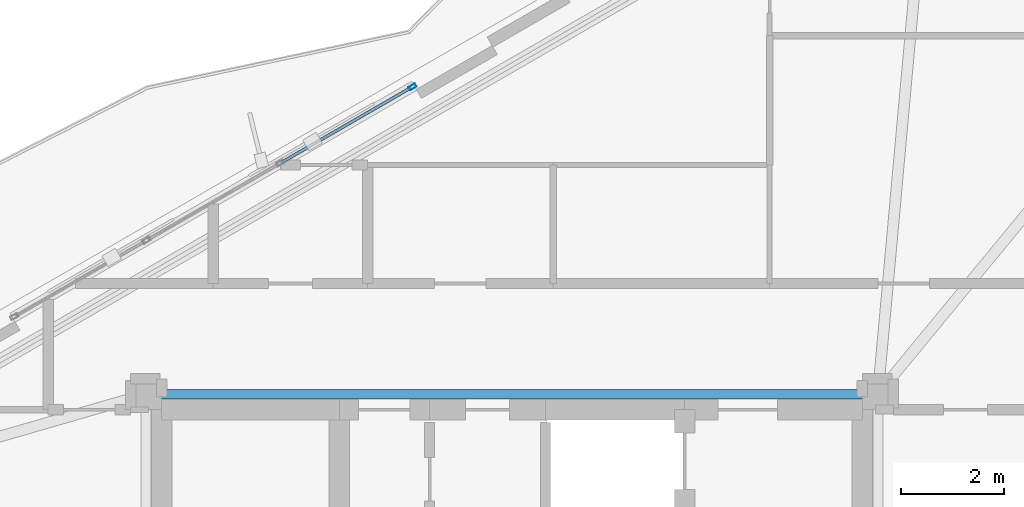
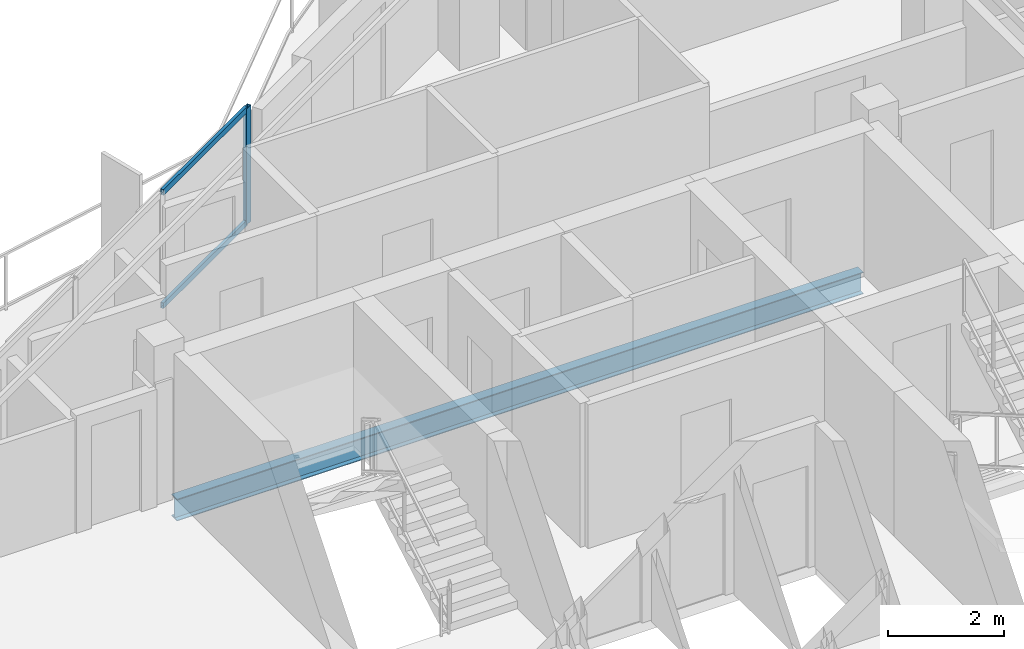
# One storey, part 14 of 21: 3 members, 1 beam, 1 element without a shape of its own.
"""IFC4 building model written with IfcOpenShell, lengths in metres."""

from ifc_helpers import new_model, si_unit, direction, frame, origin, origin_2d, place, context, subcontext, project, spatial, hollow_rectangle, i_section, extrude, material, layer, layer_set, material_profile, profile_set, type_object, element, aggregate, save


model = new_model("IFC4")

# Units and contexts
model_context = context("Model", 3, precision=1e-05, world=origin(), true_north=direction((0.0, 1.0)))
body_context = subcontext(model_context, "Body", "Model", "MODEL_VIEW")
ifc_project = project(units=[si_unit("LENGTHUNIT", "METRE"), si_unit("AREAUNIT", "SQUARE_METRE"), si_unit("VOLUMEUNIT", "CUBIC_METRE"), si_unit("PLANEANGLEUNIT", "RADIAN"), si_unit("MASSUNIT", "GRAM", prefix="KILO")], contexts=[model_context])

# Site, building, storey
site_placement = place(None, origin())
site = spatial("IfcSite", under=ifc_project, at=site_placement, CompositionType="ELEMENT")
building_placement = place(site_placement, origin())
building = spatial("IfcBuilding", under=site, at=building_placement, Name="Mersakhor Tower and Convention Hall", CompositionType="ELEMENT")
storey_placement = place(building_placement, frame((0.0, 0.0, 215.10009765625)))
storey = spatial("IfcBuildingStorey", under=building, at=storey_placement, Name="L60", CompositionType="ELEMENT", Elevation=215.10009765625)

# Beam
ifc_material_1 = material(Name="Steel S355", Category="steel")
ifc_material_profile_1 = material_profile(ifc_material_1, i_section(OverallWidth=0.19140625, OverallDepth=0.4599609375, WebThickness=0.010009765625, FlangeThickness=0.01611328125, at=origin_2d()), Name="UB 457x191x82")
ifc_profile_set_1 = profile_set([ifc_material_profile_1], Name="Steel S355")
beam_type = type_object("IfcBeamType", Name="BM-FB-457", PredefinedType="BEAM", material=ifc_profile_set_1)
beam_placement = place(storey_placement, frame((22.179931640625, 33.050048828125, -0.460205078125), z_axis=(1.0, 0.0, 0.0), x_axis=(0.0, 1.0, 0.0)))
element("IfcBeam", 1, at=beam_placement, inside=storey, type_object=beam_type, Name="L60 Core Ring Tie Beam CRB-2", PredefinedType="BEAM", context=body_context, shape_type="SweptSolid", body=[
    extrude(i_section(OverallWidth=0.19140625, OverallDepth=0.4599609375, WebThickness=0.010009765625, FlangeThickness=0.01611328125, at=origin_2d()), origin(), (0.0, 0.0, 1.0), 13.64013671875),
])

# Curtain wall, members
ifc_material_2 = material(Name="Dark solar low-E aluminium curtain wall", Category="aluminium")
ifc_layer = layer(ifc_material_2, 0.169921875)
ifc_layer_set = layer_set([ifc_layer], Name="Dark solar low-E aluminium curtain wall")
curtain_wall_type = type_object("IfcCurtainWallType", Name="CW-SYS-02", PredefinedType="USERDEFINED", material=ifc_layer_set)
curtain_wall_placement = place(storey_placement, origin())
curtain_wall = element("IfcCurtainWall", 2, at=curtain_wall_placement, inside=storey, type_object=curtain_wall_type, Name="L60 Dark-Glass Curtain Wall F1-B2", ObjectType="CURTAIN WALL", PredefinedType="USERDEFINED")
ifc_material_3 = material(Name="Anodised aluminium EN AW-6063 T6", Category="aluminium")
ifc_material_profile_2 = material_profile(ifc_material_3, hollow_rectangle(XDim=0.074951171875, YDim=0.14990234375, WallThickness=0.00634765625, at=origin_2d()), Name="RHS 150x75x6.3")
ifc_profile_set_2 = profile_set([ifc_material_profile_2], Name="Anodised aluminium EN AW-6063 T6")
member_type_1 = type_object("IfcMemberType", Name="CWM-150x75", PredefinedType="MULLION", material=ifc_profile_set_2)
member_1_placement = place(storey_placement, frame((27.06982421875, 39.016845703125, 0.199951171875), z_axis=(0.0, 0.0, 1.0), x_axis=(-0.500007824483, 0.86602088627, 0.0)))
member_1 = element("IfcMember", 3, at=member_1_placement, type_object=member_type_1, Name="CW-02 mullion 4", PredefinedType="MULLION", context=body_context, shape_type="SweptSolid", body=[
    extrude(hollow_rectangle(XDim=0.074951171875, YDim=0.14990234375, WallThickness=0.00634765625, at=origin_2d()), origin(), (0.0, 0.0, 1.0), 2.43994140625),
])
ifc_material_4 = material(Name="Anodised aluminium EN AW-6063 T6", Category="aluminium")
ifc_material_profile_3 = material_profile(ifc_material_4, hollow_rectangle(XDim=0.06005859375, YDim=0.1201171875, WallThickness=0.0048828125, at=origin_2d()), Name="RHS 120x60x5")
ifc_profile_set_3 = profile_set([ifc_material_profile_3], Name="Anodised aluminium EN AW-6063 T6")
member_type_2 = type_object("IfcMemberType", Name="CWT-120x60", PredefinedType="USERDEFINED", material=ifc_profile_set_3)
member_2_placement = place(storey_placement, frame((24.537109375, 37.554443359375, 0.22998046875), z_axis=(0.86601237176, 0.50002257145, 0.0), x_axis=(-0.50002257145, 0.86601237176, 0.0)))
member_2 = element("IfcMember", 4, at=member_2_placement, type_object=member_type_2, Name="CW-02 transom 3.1", ObjectType="TRANSOM", PredefinedType="USERDEFINED", context=body_context, shape_type="SweptSolid", body=[
    extrude(hollow_rectangle(XDim=0.06005859375, YDim=0.1201171875, WallThickness=0.0048828125, at=origin_2d()), origin(), (0.0, 0.0, 1.0), 2.886962890625),
])
member_3_placement = place(storey_placement, frame((24.537109375, 37.554443359375, 2.60986328125), z_axis=(0.86601237176, 0.50002257145, 0.0), x_axis=(-0.50002257145, 0.86601237176, 0.0)))
member_3 = element("IfcMember", 5, at=member_3_placement, type_object=member_type_2, Name="CW-02 transom 3.2", ObjectType="TRANSOM", PredefinedType="USERDEFINED", context=body_context, shape_type="SweptSolid", body=[
    extrude(hollow_rectangle(XDim=0.06005859375, YDim=0.1201171875, WallThickness=0.0048828125, at=origin_2d()), origin(), (0.0, 0.0, 1.0), 2.886962890625),
])
aggregate(curtain_wall, [member_1, member_2, member_3])

save(model, "model.ifc")
